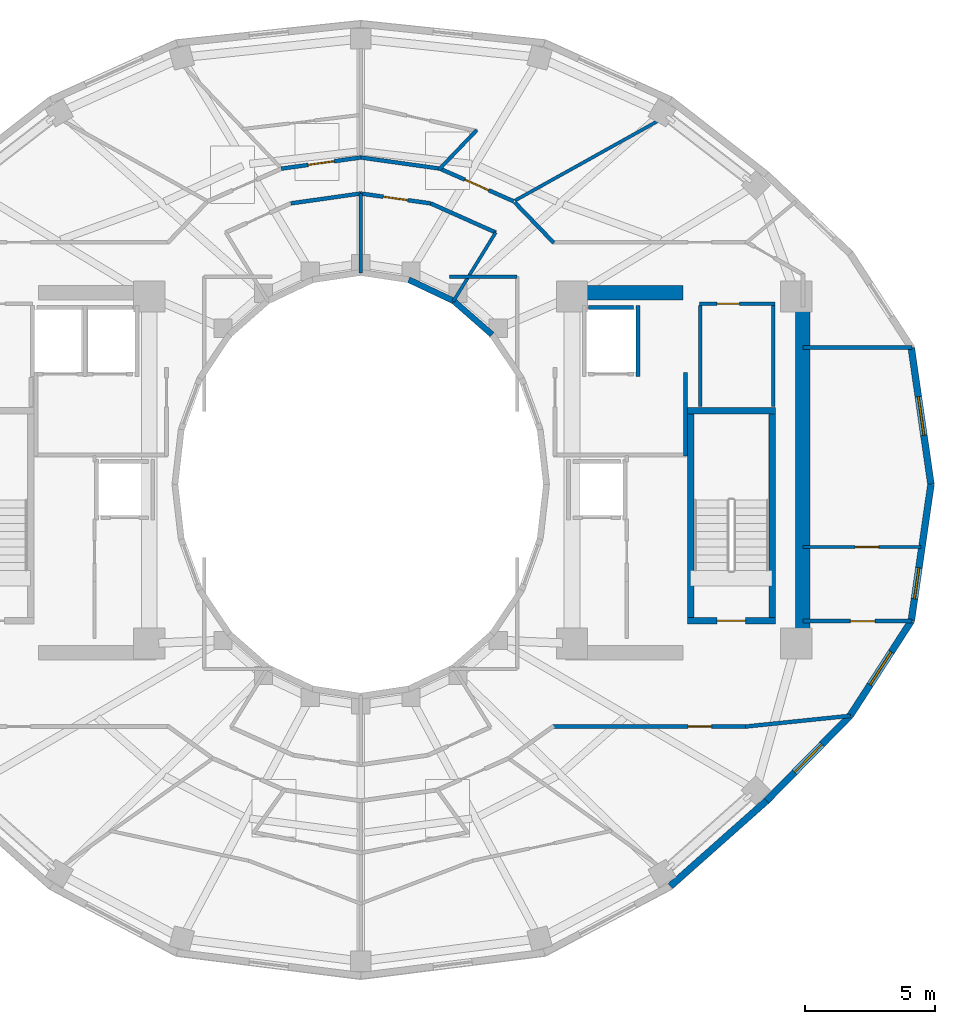
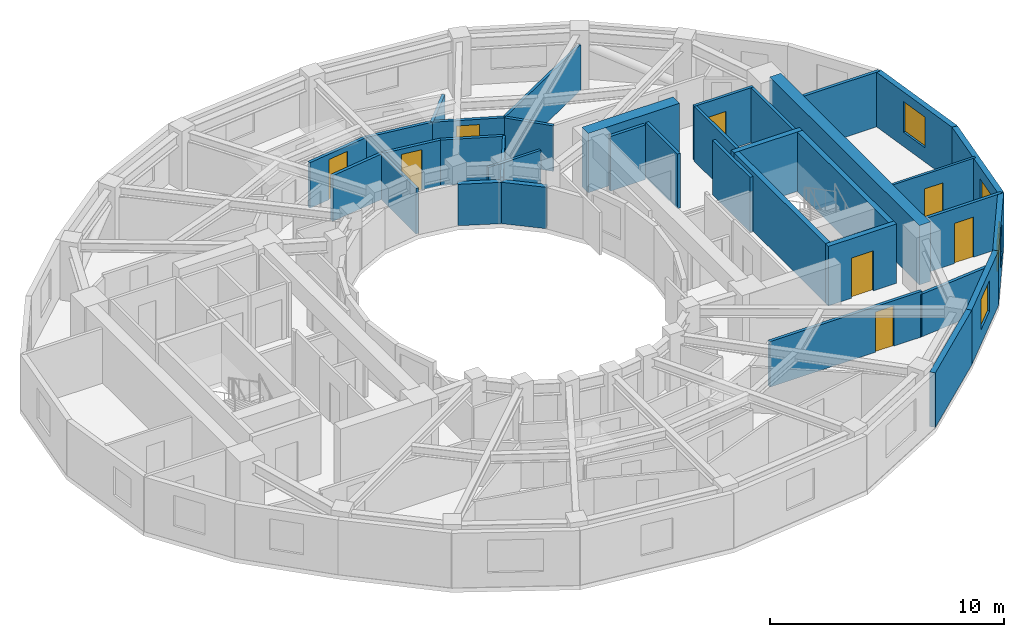
# One storey, part 6 of 9: 36 walls, 8 doors, 4 windows, 12 openings.
"""IFC4 building model written with IfcOpenShell, lengths in metres."""

from ifc_helpers import new_model, si_unit, direction, frame, frame_2d, origin, place, context, subcontext, project, spatial, rectangle, extrude, material, layer, layer_set, type_object, element, fill, save


model = new_model("IFC4")

# Units and contexts
model_context = context("Model", 3, precision=1e-05, world=origin(), true_north=direction((0.0, 1.0)))
body_context = subcontext(model_context, "Body", "Model", "MODEL_VIEW")
ifc_project = project(units=[si_unit("LENGTHUNIT", "METRE"), si_unit("AREAUNIT", "SQUARE_METRE"), si_unit("VOLUMEUNIT", "CUBIC_METRE"), si_unit("PLANEANGLEUNIT", "RADIAN"), si_unit("MASSUNIT", "GRAM", prefix="KILO")], contexts=[model_context])

# Site, building, storey
site_placement = place(None, origin())
site = spatial("IfcSite", under=ifc_project, at=site_placement, CompositionType="ELEMENT")
building_placement = place(site_placement, origin())
building = spatial("IfcBuilding", under=site, at=building_placement, Name="Solvane Sanctuary Tower", CompositionType="ELEMENT")
storey_placement = place(building_placement, frame((0.0, 0.0, 223.300048828125)))
storey = spatial("IfcBuildingStorey", under=building, at=storey_placement, Name="L68", CompositionType="ELEMENT", Elevation=223.300048828125)

# Walls
ifc_material_1 = material(Name="Concrete C50/60", Category="concrete")
ifc_layer_1 = layer(ifc_material_1, 0.550048828125, Name="Concrete C50/60")
ifc_layer_set_1 = layer_set([ifc_layer_1], Name="Concrete C50/60")
wall_type_1 = type_object("IfcWallType", Name="Wall W-CORE-550", PredefinedType="SHEAR", material=ifc_layer_set_1)
wall_1_placement = place(storey_placement, frame((48.949951171875, 17.050048828125, 0.0), z_axis=(0.0, 0.0, 1.0), x_axis=(0.0, 1.0, 0.0)))
element("IfcWall", 1, at=wall_1_placement, inside=storey, type_object=wall_type_1, Name="L68 Core Shear Wall EC-E", PredefinedType="SHEAR", context=body_context, shape_type="SweptSolid", body=[
    extrude(rectangle(XDim=12.800048828125, YDim=0.550048828125, at=frame_2d((6.39990234375, 0.0))), origin(), (0.0, 0.0, 1.0), 3.099853515625),
])
wall_2_placement = place(storey_placement, frame((39.85009765625, 30.35009765625, 0.0), z_axis=(0.0, 0.0, 1.0), x_axis=(1.0, 0.0, 0.0)))
element("IfcWall", 2, at=wall_2_placement, inside=storey, type_object=wall_type_1, Name="L68 Core Shear Wall EC-N", PredefinedType="SHEAR", context=body_context, shape_type="SweptSolid", body=[
    extrude(rectangle(XDim=4.5, YDim=0.550048828125, at=frame_2d((2.25, 0.0))), origin(), (0.0, 0.0, 1.0), 3.099853515625),
])
ifc_material_2 = material(Name="Acoustic Gypsum Partition Board")
ifc_layer_2 = layer(ifc_material_2, 0.14990234375, Name="Acoustic Gypsum Partition Board")
ifc_layer_set_2 = layer_set([ifc_layer_2], Name="Acoustic Gypsum Partition Board")
wall_type_2 = type_object("IfcWallType", Name="Wall W-CORR-150", PredefinedType="PARTITIONING", material=ifc_layer_set_2)
wall_3_placement = place(storey_placement, frame((44.449951171875, 24.080078125, 0.0), z_axis=(0.0, 0.0, 1.0), x_axis=(0.0, 1.0, 0.0)))
element("IfcWall", 3, at=wall_3_placement, inside=storey, type_object=wall_type_2, Name="L68 East Firefighting Lobby East Wall", PredefinedType="PARTITIONING", context=body_context, shape_type="SweptSolid", body=[
    extrude(rectangle(XDim=3.199951171875, YDim=0.14990234375, at=frame_2d((1.60009765625, 0.0))), origin(), (0.0, 0.0, 1.0), 2.85498046875),
])
wall_4_placement = place(storey_placement, frame((37.181396484375, 32.65234375, 0.0), z_axis=(0.0, 0.0, 1.0), x_axis=(-0.913120130558, 0.407690602257, 0.0)))
element("IfcWall", 4, at=wall_4_placement, inside=storey, type_object=wall_type_2, Name="L68 Light-Well Alcove Corridor Wall 1", PredefinedType="PARTITIONING", context=body_context, shape_type="SweptSolid", body=[
    extrude(rectangle(XDim=2.74267578125, YDim=0.14990234375, at=frame_2d((1.371337890625, 0.0))), origin(), (0.0, 0.0, 1.0), 2.3759765625),
])

# Wall, opening, door
wall_5_placement = place(storey_placement, frame((34.680419921875, 33.76953125, 0.0), z_axis=(0.0, 0.0, 1.0), x_axis=(-0.990132151456, 0.140136799779, 0.0)))
wall_5 = element("IfcWall", 5, at=wall_5_placement, inside=storey, type_object=wall_type_2, Name="L68 Light-Well Alcove Corridor Wall 1", PredefinedType="PARTITIONING", context=body_context, shape_type="SweptSolid", body=[
    extrude(rectangle(XDim=2.71435546875, YDim=0.14990234375, at=frame_2d((1.357177734375, 0.0))), origin(), (0.0, 0.0, 1.0), 2.3759765625),
])
opening_1_placement = place(wall_5_placement, frame((0.882080078125, 0.0, 0.0)))
opening_1 = element("IfcOpeningElement", 6, at=opening_1_placement, cuts=wall_5, Name="Opening D-L68-09", PredefinedType="OPENING", context=body_context, shape_type="SweptSolid", body=[
    extrude(rectangle(XDim=0.949951171875, YDim=2.10009765625, at=frame_2d((0.47509765625, 1.050048828125))), frame((0.0, 0.0849609375, 0.0), z_axis=(0.0, -1.0, 0.0), x_axis=(1.0, 0.0, 0.0)), (0.0, 0.0, 1.0), 0.169921875),
])
ifc_material_3 = material(Name="Engineered Tropical Hardwood", Category="wood")
door_type_1 = type_object("IfcDoorType", Name="Door D-ROOM-950", OperationType="NOTDEFINED", PredefinedType="DOOR", material=ifc_material_3)
door_1_placement = place(opening_1_placement, origin())
door_1 = element("IfcDoor", 7, at=door_1_placement, inside=storey, type_object=door_type_1, Name="L68 Light-Well Alcove Door 1", OperationType="SINGLE_SWING_RIGHT", OverallHeight=2.10009765625, OverallWidth=0.949951171875, PredefinedType="DOOR", context=body_context, shape_type="SweptSolid", body=[
    extrude(rectangle(XDim=0.949951171875, YDim=2.10009765625, at=frame_2d((0.47509765625, 1.050048828125))), frame((0.0, 0.02490234375, 0.0), z_axis=(0.0, -1.0, 0.0), x_axis=(1.0, 0.0, 0.0)), (0.0, 0.0, 1.0), 0.050048828125),
])
fill(opening_1, door_1)

# Wall
wall_6_placement = place(storey_placement, frame((32.007080078125, 34.14990234375, 0.0), z_axis=(0.0, 0.0, 1.0), x_axis=(-0.990132151456, -0.140136799779, 0.0)))
element("IfcWall", 8, at=wall_6_placement, inside=storey, type_object=wall_type_2, Name="L68 Light-Well Alcove Corridor Wall 2", PredefinedType="PARTITIONING", context=body_context, shape_type="SweptSolid", body=[
    extrude(rectangle(XDim=2.71435546875, YDim=0.14990234375, at=frame_2d((1.357177734375, 0.0))), origin(), (0.0, 0.0, 1.0), 2.3759765625),
])

# Wall, opening, door
wall_7_placement = place(storey_placement, frame((48.949951171875, 17.754638671875, 0.0), z_axis=(0.0, 0.0, 1.0), x_axis=(1.0, 0.0, 0.0)))
wall_7 = element("IfcWall", 9, at=wall_7_placement, inside=storey, type_object=wall_type_2, Name="L68 East Shoulder South Wall", PredefinedType="PARTITIONING", context=body_context, shape_type="SweptSolid", body=[
    extrude(rectangle(XDim=4.174560546875, YDim=0.14990234375, at=frame_2d((2.08740234375, 0.0))), origin(), (0.0, 0.0, 1.0), 2.85498046875),
])
opening_2_placement = place(wall_7_placement, frame((1.817138671875, 0.0, 0.0)))
opening_2 = element("IfcOpeningElement", 10, at=opening_2_placement, cuts=wall_7, Name="Opening D-L68-13", PredefinedType="OPENING", context=body_context, shape_type="SweptSolid", body=[
    extrude(rectangle(XDim=0.949951171875, YDim=2.10009765625, at=frame_2d((0.47509765625, 1.050048828125))), frame((0.0, 0.0849609375, 0.0), z_axis=(0.0, -1.0, 0.0), x_axis=(1.0, 0.0, 0.0)), (0.0, 0.0, 1.0), 0.169921875),
])
door_2_placement = place(opening_2_placement, origin())
door_2 = element("IfcDoor", 11, at=door_2_placement, inside=storey, type_object=door_type_1, Name="L68 East Shoulder South Door", OperationType="SINGLE_SWING_RIGHT", OverallHeight=2.10009765625, OverallWidth=0.949951171875, PredefinedType="DOOR", context=body_context, shape_type="SweptSolid", body=[
    extrude(rectangle(XDim=0.949951171875, YDim=2.10009765625, at=frame_2d((0.47509765625, 1.050048828125))), frame((0.0, 0.02490234375, 0.0), z_axis=(0.0, -1.0, 0.0), x_axis=(1.0, 0.0, 0.0)), (0.0, 0.0, 1.0), 0.050048828125),
])
fill(opening_2, door_2)

# Walls
wall_8_placement = place(storey_placement, frame((48.949951171875, 28.245361328125, 0.0), z_axis=(0.0, 0.0, 1.0), x_axis=(1.0, 0.0, 0.0)))
element("IfcWall", 12, at=wall_8_placement, inside=storey, type_object=wall_type_2, Name="L68 East Shoulder North Wall", PredefinedType="PARTITIONING", context=body_context, shape_type="SweptSolid", body=[
    extrude(rectangle(XDim=4.174560546875, YDim=0.14990234375, at=frame_2d((2.08740234375, 0.0))), origin(), (0.0, 0.0, 1.0), 2.85498046875),
])
wall_9_placement = place(storey_placement, frame((37.9033203125, 33.811767578125, 0.0), z_axis=(0.0, 0.0, 1.0), x_axis=(0.694032962553, -0.719943224768, 0.0)))
element("IfcWall", 13, at=wall_9_placement, inside=storey, type_object=wall_type_2, Name="L68 NE Corner Throat Wall", PredefinedType="PARTITIONING", context=body_context, shape_type="SweptSolid", body=[
    extrude(rectangle(XDim=2.15771484375, YDim=0.14990234375, at=frame_2d((1.078857421875, 0.0))), origin(), (0.0, 0.0, 1.0), 2.3759765625),
])

# Wall, opening, door
wall_10_placement = place(storey_placement, frame((39.330078125, 13.719970703125, 0.0), z_axis=(0.0, 0.0, 1.0), x_axis=(1.0, 0.0, 0.0)))
wall_10 = element("IfcWall", 14, at=wall_10_placement, inside=storey, type_object=wall_type_2, Name="L68 SE Corner Corridor Wall", PredefinedType="PARTITIONING", context=body_context, shape_type="SweptSolid", body=[
    extrude(rectangle(XDim=7.52001953125, YDim=0.14990234375, at=frame_2d((3.760009765625, 0.0))), origin(), (0.0, 0.0, 1.0), 2.3759765625),
])
opening_3_placement = place(wall_10_placement, frame((5.219970703125, 0.0, 0.0)))
opening_3 = element("IfcOpeningElement", 15, at=opening_3_placement, cuts=wall_10, Name="Opening D-L68-21", PredefinedType="OPENING", context=body_context, shape_type="SweptSolid", body=[
    extrude(rectangle(XDim=0.89990234375, YDim=2.10009765625, at=frame_2d((0.449951171875, 1.050048828125))), frame((0.0, 0.0849609375, 0.0), z_axis=(0.0, -1.0, 0.0), x_axis=(1.0, 0.0, 0.0)), (0.0, 0.0, 1.0), 0.169921875),
])
door_type_2 = type_object("IfcDoorType", Name="Door D-WET-900", OperationType="NOTDEFINED", PredefinedType="DOOR", material=ifc_material_3)
door_3_placement = place(opening_3_placement, origin())
door_3 = element("IfcDoor", 16, at=door_3_placement, inside=storey, type_object=door_type_2, Name="L68 SE Corner Salon Door", OperationType="SINGLE_SWING_RIGHT", OverallHeight=2.10009765625, OverallWidth=0.89990234375, PredefinedType="DOOR", context=body_context, shape_type="SweptSolid", body=[
    extrude(rectangle(XDim=0.89990234375, YDim=2.10009765625, at=frame_2d((0.449951171875, 1.050048828125))), frame((0.0, 0.02490234375, 0.0), z_axis=(0.0, -1.0, 0.0), x_axis=(1.0, 0.0, 0.0)), (0.0, 0.0, 1.0), 0.050048828125),
])
fill(opening_3, door_3)

# Walls
wall_11_placement = place(storey_placement, frame((46.750244140625, 13.71484375, 0.0), z_axis=(0.0, 0.0, 1.0), x_axis=(0.994734711466, 0.102483431859, 0.0)))
element("IfcWall", 17, at=wall_11_placement, inside=storey, type_object=wall_type_2, Name="L68 SE Corner Wing Wall", PredefinedType="PARTITIONING", context=body_context, shape_type="SweptSolid", body=[
    extrude(rectangle(XDim=4.04736328125, YDim=0.14990234375, at=frame_2d((2.023681640625, 0.0))), origin(), (0.0, 0.0, 1.0), 2.219970703125),
])
wall_12_placement = place(storey_placement, frame((35.08544921875, 35.09619140625, 0.0), z_axis=(0.0, 0.0, 1.0), x_axis=(-0.990254086283, 0.139272555084, 0.0)))
element("IfcWall", 18, at=wall_12_placement, inside=storey, type_object=wall_type_2, Name="L68 En-suite Inner Wall N1", PredefinedType="PARTITIONING", context=body_context, shape_type="SweptSolid", body=[
    extrude(rectangle(XDim=3.165771484375, YDim=0.14990234375, at=frame_2d((1.5830078125, 0.0))), origin(), (0.0, 0.0, 1.0), 2.3759765625),
])

# Wall, opening, door
wall_13_placement = place(storey_placement, frame((37.8720703125, 33.846923828125, 0.0), z_axis=(0.0, 0.0, 1.0), x_axis=(-0.914490094652, 0.40460828808, 0.0)))
wall_13 = element("IfcWall", 19, at=wall_13_placement, inside=storey, type_object=wall_type_2, Name="L68 Unit Corridor Wall N1", PredefinedType="PARTITIONING", context=body_context, shape_type="SweptSolid", body=[
    extrude(rectangle(XDim=3.10986328125, YDim=0.14990234375, at=frame_2d((1.554931640625, 0.0))), origin(), (0.0, 0.0, 1.0), 2.3759765625),
])
opening_4_placement = place(wall_13_placement, frame((1.054931640625, 0.0, 0.0)))
opening_4 = element("IfcOpeningElement", 20, at=opening_4_placement, cuts=wall_13, Name="Opening D-L68-23", PredefinedType="OPENING", context=body_context, shape_type="SweptSolid", body=[
    extrude(rectangle(XDim=1.0, YDim=2.10009765625, at=frame_2d((0.5, 1.050048828125))), frame((0.0, 0.0849609375, 0.0), z_axis=(0.0, -1.0, 0.0), x_axis=(1.0, 0.0, 0.0)), (0.0, 0.0, 1.0), 0.169921875),
])
door_type_3 = type_object("IfcDoorType", Name="Door D-UNIT", OperationType="NOTDEFINED", PredefinedType="DOOR", material=ifc_material_3)
door_4_placement = place(opening_4_placement, origin())
door_4 = element("IfcDoor", 21, at=door_4_placement, inside=storey, type_object=door_type_3, Name="L68 Unit Entrance Door N1", OperationType="SINGLE_SWING_RIGHT", OverallHeight=2.10009765625, OverallWidth=1.0, PredefinedType="DOOR", context=body_context, shape_type="SweptSolid", body=[
    extrude(rectangle(XDim=1.0, YDim=2.10009765625, at=frame_2d((0.5, 1.050048828125))), frame((0.0, 0.02490234375, 0.0), z_axis=(0.0, -1.0, 0.0), x_axis=(1.0, 0.0, 0.0)), (0.0, 0.0, 1.0), 0.050048828125),
])
fill(opening_4, door_4)

wall_14_placement = place(storey_placement, frame((32.00830078125, 35.530029296875, 0.0), z_axis=(0.0, 0.0, 1.0), x_axis=(-0.990257602807, -0.139247549651, 0.0)))
wall_14 = element("IfcWall", 22, at=wall_14_placement, inside=storey, type_object=wall_type_2, Name="L68 Unit Corridor Wall N2", PredefinedType="PARTITIONING", context=body_context, shape_type="SweptSolid", body=[
    extrude(rectangle(XDim=3.082275390625, YDim=0.14990234375, at=frame_2d((1.541015625, 0.0))), origin(), (0.0, 0.0, 1.0), 2.3759765625),
])
opening_5_placement = place(wall_14_placement, frame((1.041015625, 0.0, 0.0)))
opening_5 = element("IfcOpeningElement", 23, at=opening_5_placement, cuts=wall_14, Name="Opening D-L68-25", PredefinedType="OPENING", context=body_context, shape_type="SweptSolid", body=[
    extrude(rectangle(XDim=1.0, YDim=2.10009765625, at=frame_2d((0.5, 1.050048828125))), frame((0.0, 0.0849609375, 0.0), z_axis=(0.0, -1.0, 0.0), x_axis=(1.0, 0.0, 0.0)), (0.0, 0.0, 1.0), 0.169921875),
])
door_5_placement = place(opening_5_placement, origin())
door_5 = element("IfcDoor", 24, at=door_5_placement, inside=storey, type_object=door_type_3, Name="L68 Unit Entrance Door N2", OperationType="SINGLE_SWING_RIGHT", OverallHeight=2.10009765625, OverallWidth=1.0, PredefinedType="DOOR", context=body_context, shape_type="SweptSolid", body=[
    extrude(rectangle(XDim=1.0, YDim=2.10009765625, at=frame_2d((0.5, 1.050048828125))), frame((0.0, 0.02490234375, 0.0), z_axis=(0.0, -1.0, 0.0), x_axis=(1.0, 0.0, 0.0)), (0.0, 0.0, 1.0), 0.050048828125),
])
fill(opening_5, door_5)

# Wall, opening, window
ifc_material_4 = material(Name="Precast concrete C40/50", Category="concrete")
ifc_layer_3 = layer(ifc_material_4, 0.260009765625, Name="Precast concrete C40/50")
ifc_layer_set_3 = layer_set([ifc_layer_3], Name="Precast concrete C40/50")
wall_type_3 = type_object("IfcWallType", Name="Wall W-EXT-250", PredefinedType="STANDARD", material=ifc_layer_set_3)
wall_15_placement = place(storey_placement, frame((53.860107421875, 23.0, 0.0), z_axis=(0.0, 0.0, 1.0), x_axis=(-0.142712754019, 0.989764148593, 0.0)))
wall_15 = element("IfcWall", 25, at=wall_15_placement, inside=storey, type_object=wall_type_3, Name="L68 Ceramic-Printed Facade Wall 00", PredefinedType="STANDARD", context=body_context, shape_type="SweptSolid", body=[
    extrude(rectangle(XDim=5.29296875, YDim=0.260009765625, at=frame_2d((2.646484375, 0.0))), origin(), (0.0, 0.0, 1.0), 2.849853515625),
])
opening_6_placement = place(wall_15_placement, frame((1.896484375, 0.0, 0.75)))
opening_6 = element("IfcOpeningElement", 26, at=opening_6_placement, cuts=wall_15, Name="Opening WN-OPER-1500", PredefinedType="OPENING", context=body_context, shape_type="SweptSolid", body=[
    extrude(rectangle(XDim=1.5, YDim=1.60009765625, at=frame_2d((0.75, 0.800048828125))), frame((0.0, 0.139892578125, 0.0), z_axis=(0.0, -1.0, 0.0), x_axis=(1.0, 0.0, 0.0)), (0.0, 0.0, 1.0), 0.280029296875),
])
ifc_material_5 = material(Name="Dark Ceramic-Fritted Low-E Glass", Category="glass")
window_type_1 = type_object("IfcWindowType", Name="Window WN-OPER-1500", PartitioningType="SINGLE_PANEL", PredefinedType="WINDOW", material=ifc_material_5)
window_1_placement = place(opening_6_placement, origin())
window_1 = element("IfcWindow", 27, at=window_1_placement, inside=storey, type_object=window_type_1, Name="L68 Operable Facade Window 00", OverallHeight=1.60009765625, OverallWidth=1.5, PartitioningType="SINGLE_PANEL", PredefinedType="WINDOW", context=body_context, shape_type="SweptSolid", body=[
    extrude(rectangle(XDim=1.5, YDim=1.60009765625, at=frame_2d((0.75, 0.800048828125))), frame((0.0, 0.030029296875, 0.0), z_axis=(0.0, -1.0, 0.0), x_axis=(1.0, 0.0, 0.0)), (0.0, 0.0, 1.0), 0.06005859375),
])
fill(opening_6, window_1)

# Wall
wall_16_placement = place(storey_placement, frame((43.8701171875, 7.600830078125, 0.0), z_axis=(0.0, 0.0, 1.0), x_axis=(0.748165854006, 0.663511759428, 0.0)))
element("IfcWall", 28, at=wall_16_placement, inside=storey, type_object=wall_type_3, Name="L68 Ceramic-Printed Facade Wall 20", PredefinedType="STANDARD", context=body_context, shape_type="SweptSolid", body=[
    extrude(rectangle(XDim=4.9287109375, YDim=0.260009765625, at=frame_2d((2.46435546875, 0.0))), origin(), (0.0, 0.0, 1.0), 2.849853515625),
])

# Wall, opening, window
wall_17_placement = place(storey_placement, frame((47.5576171875, 10.87109375, 0.0), z_axis=(0.0, 0.0, 1.0), x_axis=(0.700642973333, 0.713512034881, 0.0)))
wall_17 = element("IfcWall", 29, at=wall_17_placement, inside=storey, type_object=wall_type_3, Name="L68 Ceramic-Printed Facade Wall 21", PredefinedType="STANDARD", context=body_context, shape_type="SweptSolid", body=[
    extrude(rectangle(XDim=4.572021484375, YDim=0.260009765625, at=frame_2d((2.2861328125, 0.0))), origin(), (0.0, 0.0, 1.0), 2.849853515625),
])
opening_7_placement = place(wall_17_placement, frame((1.535888671875, 0.0, 0.75)))
opening_7 = element("IfcOpeningElement", 30, at=opening_7_placement, cuts=wall_17, Name="Opening WN-OPER-1500", PredefinedType="OPENING", context=body_context, shape_type="SweptSolid", body=[
    extrude(rectangle(XDim=1.5, YDim=1.60009765625, at=frame_2d((0.75, 0.800048828125))), frame((0.0, 0.139892578125, 0.0), z_axis=(0.0, -1.0, 0.0), x_axis=(1.0, 0.0, 0.0)), (0.0, 0.0, 1.0), 0.280029296875),
])
window_2_placement = place(opening_7_placement, origin())
window_2 = element("IfcWindow", 31, at=window_2_placement, inside=storey, type_object=window_type_1, Name="L68 Operable Facade Window 21", OverallHeight=1.60009765625, OverallWidth=1.5, PartitioningType="SINGLE_PANEL", PredefinedType="WINDOW", context=body_context, shape_type="SweptSolid", body=[
    extrude(rectangle(XDim=1.5, YDim=1.60009765625, at=frame_2d((0.75, 0.800048828125))), frame((0.0, 0.030029296875, 0.0), z_axis=(0.0, -1.0, 0.0), x_axis=(1.0, 0.0, 0.0)), (0.0, 0.0, 1.0), 0.06005859375),
])
fill(opening_7, window_2)

wall_18_placement = place(storey_placement, frame((50.760986328125, 14.13330078125, 0.0), z_axis=(0.0, 0.0, 1.0), x_axis=(0.542641766008, 0.839964233634, 0.0)))
wall_18 = element("IfcWall", 32, at=wall_18_placement, inside=storey, type_object=wall_type_3, Name="L68 Ceramic-Printed Facade Wall 22", PredefinedType="STANDARD", context=body_context, shape_type="SweptSolid", body=[
    extrude(rectangle(XDim=4.319091796875, YDim=0.260009765625, at=frame_2d((2.15966796875, 0.0))), origin(), (0.0, 0.0, 1.0), 2.849853515625),
])
opening_8_placement = place(wall_18_placement, frame((1.40966796875, 0.0, 0.75)))
opening_8 = element("IfcOpeningElement", 33, at=opening_8_placement, cuts=wall_18, Name="Opening WN-OPER-1500", PredefinedType="OPENING", context=body_context, shape_type="SweptSolid", body=[
    extrude(rectangle(XDim=1.5, YDim=1.60009765625, at=frame_2d((0.75, 0.800048828125))), frame((0.0, 0.139892578125, 0.0), z_axis=(0.0, -1.0, 0.0), x_axis=(1.0, 0.0, 0.0)), (0.0, 0.0, 1.0), 0.280029296875),
])
window_3_placement = place(opening_8_placement, origin())
window_3 = element("IfcWindow", 34, at=window_3_placement, inside=storey, type_object=window_type_1, Name="L68 Operable Facade Window 22", OverallHeight=1.60009765625, OverallWidth=1.5, PartitioningType="SINGLE_PANEL", PredefinedType="WINDOW", context=body_context, shape_type="SweptSolid", body=[
    extrude(rectangle(XDim=1.5, YDim=1.60009765625, at=frame_2d((0.75, 0.800048828125))), frame((0.0, 0.030029296875, 0.0), z_axis=(0.0, -1.0, 0.0), x_axis=(1.0, 0.0, 0.0)), (0.0, 0.0, 1.0), 0.06005859375),
])
fill(opening_8, window_3)

wall_19_placement = place(storey_placement, frame((53.104736328125, 17.76123046875, 0.0), z_axis=(0.0, 0.0, 1.0), x_axis=(0.142712754019, 0.989764148593, 0.0)))
wall_19 = element("IfcWall", 35, at=wall_19_placement, inside=storey, type_object=wall_type_3, Name="L68 Ceramic-Printed Facade Wall 23", PredefinedType="STANDARD", context=body_context, shape_type="SweptSolid", body=[
    extrude(rectangle(XDim=5.29296875, YDim=0.260009765625, at=frame_2d((2.646484375, 0.0))), origin(), (0.0, 0.0, 1.0), 2.849853515625),
])
opening_9_placement = place(wall_19_placement, frame((0.859130859375, 0.0, 0.75)))
opening_9 = element("IfcOpeningElement", 36, at=opening_9_placement, cuts=wall_19, Name="Opening WN-OPER-1200", PredefinedType="OPENING", context=body_context, shape_type="SweptSolid", body=[
    extrude(rectangle(XDim=1.199951171875, YDim=1.5, at=frame_2d((0.60009765625, 0.75))), frame((0.0, 0.139892578125, 0.0), z_axis=(0.0, -1.0, 0.0), x_axis=(1.0, 0.0, 0.0)), (0.0, 0.0, 1.0), 0.280029296875),
])
window_type_2 = type_object("IfcWindowType", Name="Window WN-OPER-1200", PartitioningType="SINGLE_PANEL", PredefinedType="WINDOW", material=ifc_material_5)
window_4_placement = place(opening_9_placement, origin())
window_4 = element("IfcWindow", 37, at=window_4_placement, inside=storey, type_object=window_type_2, Name="L68 Operable Facade Window 23", OverallHeight=1.5, OverallWidth=1.199951171875, PartitioningType="SINGLE_PANEL", PredefinedType="WINDOW", context=body_context, shape_type="SweptSolid", body=[
    extrude(rectangle(XDim=1.199951171875, YDim=1.5, at=frame_2d((0.60009765625, 0.75))), frame((0.0, 0.030029296875, 0.0), z_axis=(0.0, -1.0, 0.0), x_axis=(1.0, 0.0, 0.0)), (0.0, 0.0, 1.0), 0.06005859375),
])
fill(opening_9, window_4)

# Walls
ifc_layer_4 = layer(ifc_material_4, 0.22998046875, Name="Precast concrete C40/50")
ifc_layer_set_4 = layer_set([ifc_layer_4], Name="Precast concrete C40/50")
wall_type_4 = type_object("IfcWallType", Name="Wall W-EXT-SP220", PredefinedType="STANDARD", material=ifc_layer_set_4)
wall_20_placement = place(storey_placement, frame((37.03466796875, 28.74169921875, 0.0), z_axis=(0.0, 0.0, 1.0), x_axis=(-0.752576694707, 0.658504607869, 0.0)))
element("IfcWall", 38, at=wall_20_placement, inside=storey, type_object=wall_type_4, Name="L68 Central Light-Well Wall 03", PredefinedType="STANDARD", context=body_context, shape_type="SweptSolid", body=[
    extrude(rectangle(XDim=1.95947265625, YDim=0.22998046875, at=frame_2d((0.979736328125, 0.0))), origin(), (0.0, 0.0, 1.0), 2.159912109375),
])
wall_21_placement = place(storey_placement, frame((35.56005859375, 30.031982421875, 0.0), z_axis=(0.0, 0.0, 1.0), x_axis=(-0.904179699603, 0.427152280606, 0.0)))
element("IfcWall", 39, at=wall_21_placement, inside=storey, type_object=wall_type_4, Name="L68 Central Light-Well Wall 04", PredefinedType="STANDARD", context=body_context, shape_type="SweptSolid", body=[
    extrude(rectangle(XDim=1.899169921875, YDim=0.22998046875, at=frame_2d((0.94970703125, 0.0))), origin(), (0.0, 0.0, 1.0), 2.159912109375),
])

# Wall, opening, door
ifc_layer_5 = layer(ifc_material_2, 0.1201171875, Name="Acoustic Gypsum Partition Board")
ifc_layer_set_5 = layer_set([ifc_layer_5], Name="Acoustic Gypsum Partition Board")
wall_type_5 = type_object("IfcWallType", Name="Wall W-MOV-100", PredefinedType="MOVABLE", material=ifc_layer_set_5)
wall_22_placement = place(storey_placement, frame((48.949951171875, 20.60009765625, 0.0), z_axis=(0.0, 0.0, 1.0), x_axis=(1.0, 0.0, 0.0)))
wall_22 = element("IfcWall", 40, at=wall_22_placement, inside=storey, type_object=wall_type_5, Name="L68 East Suite Partition", PredefinedType="MOVABLE", context=body_context, shape_type="SweptSolid", body=[
    extrude(rectangle(XDim=4.5244140625, YDim=0.1201171875, at=frame_2d((2.26220703125, 0.0))), origin(), (0.0, 0.0, 1.0), 2.85498046875),
])
opening_10_placement = place(wall_22_placement, frame((2.0, 0.0, 0.0)))
opening_10 = element("IfcOpeningElement", 41, at=opening_10_placement, cuts=wall_22, Name="Opening D-L68-14", PredefinedType="OPENING", context=body_context, shape_type="SweptSolid", body=[
    extrude(rectangle(XDim=0.89990234375, YDim=2.10009765625, at=frame_2d((0.449951171875, 1.050048828125))), frame((0.0, 0.070068359375, 0.0), z_axis=(0.0, -1.0, 0.0), x_axis=(1.0, 0.0, 0.0)), (0.0, 0.0, 1.0), 0.14013671875),
])
door_6_placement = place(opening_10_placement, origin())
door_6 = element("IfcDoor", 42, at=door_6_placement, inside=storey, type_object=door_type_2, Name="L68 East Suite Internal Door", OperationType="SINGLE_SWING_LEFT", OverallHeight=2.10009765625, OverallWidth=0.89990234375, PredefinedType="DOOR", context=body_context, shape_type="SweptSolid", body=[
    extrude(rectangle(XDim=0.89990234375, YDim=2.10009765625, at=frame_2d((0.449951171875, 1.050048828125))), frame((0.0, 0.02490234375, 0.0), z_axis=(0.0, -1.0, 0.0), x_axis=(1.0, 0.0, 0.0)), (0.0, 0.0, 1.0), 0.050048828125),
])
fill(opening_10, door_6)

# Walls
ifc_layer_6 = layer(ifc_material_2, 0.125, Name="Acoustic Gypsum Partition Board")
ifc_layer_set_6 = layer_set([ifc_layer_6], Name="Acoustic Gypsum Partition Board")
wall_type_6 = type_object("IfcWallType", Name="Wall W-PART-125", PredefinedType="PARTITIONING", material=ifc_layer_set_6)
wall_23_placement = place(storey_placement, frame((35.550048828125, 30.014892578125, 0.0), z_axis=(0.0, 0.0, 1.0), x_axis=(0.523992004803, 0.851723182086, 0.0)))
element("IfcWall", 43, at=wall_23_placement, inside=storey, type_object=wall_type_6, Name="L68 Light-Well Alcove Radial Wall 60", PredefinedType="PARTITIONING", context=body_context, shape_type="SweptSolid", body=[
    extrude(rectangle(XDim=3.10107421875, YDim=0.125, at=frame_2d((1.550537109375, 0.0))), origin(), (0.0, 0.0, 1.0), 2.3759765625),
])
wall_24_placement = place(storey_placement, frame((32.0, 31.10009765625, 0.0), z_axis=(0.0, 0.0, 1.0), x_axis=(0.0, 1.0, 0.0)))
element("IfcWall", 44, at=wall_24_placement, inside=storey, type_object=wall_type_6, Name="L68 Light-Well Alcove Radial Wall 90", PredefinedType="PARTITIONING", context=body_context, shape_type="SweptSolid", body=[
    extrude(rectangle(XDim=3.0498046875, YDim=0.125, at=frame_2d((1.52490234375, 0.0))), origin(), (0.0, 0.0, 1.0), 2.3759765625),
])
wall_25_placement = place(storey_placement, frame((35.39990234375, 30.9599609375, 0.0), z_axis=(0.0, 0.0, 1.0), x_axis=(1.0, 0.0, 0.0)))
element("IfcWall", 45, at=wall_25_placement, inside=storey, type_object=wall_type_6, Name="L68 Bridge Alcove Wall 4", PredefinedType="PARTITIONING", context=body_context, shape_type="SweptSolid", body=[
    extrude(rectangle(XDim=2.60009765625, YDim=0.125, at=frame_2d((1.300048828125, 0.0))), origin(), (0.0, 0.0, 1.0), 2.3759765625),
])
wall_26_placement = place(storey_placement, frame((37.9130859375, 33.8779296875, 0.0), z_axis=(0.0, 0.0, 1.0), x_axis=(0.87377679808, 0.486327160599, 0.0)))
element("IfcWall", 46, at=wall_26_placement, inside=storey, type_object=wall_type_6, Name="L68 Radial Compartment Wall 060", PredefinedType="PARTITIONING", context=body_context, shape_type="SweptSolid", body=[
    extrude(rectangle(XDim=6.239501953125, YDim=0.125, at=frame_2d((3.11962890625, 0.0))), origin(), (0.0, 0.0, 1.0), 2.3759765625),
])
ifc_layer_7 = layer(ifc_material_1, 0.14990234375, Name="Concrete C50/60")
ifc_layer_set_7 = layer_set([ifc_layer_7], Name="Concrete C50/60")
wall_type_7 = type_object("IfcWallType", Name="Wall W-SHAFT-150", PredefinedType="SOLIDWALL", material=ifc_layer_set_7)
wall_27_placement = place(storey_placement, frame((40.739990234375, 29.780029296875, 0.0), z_axis=(0.0, 0.0, 1.0), x_axis=(1.0, 0.0, 0.0)))
element("IfcWall", 47, at=wall_27_placement, inside=storey, type_object=wall_type_7, Name="L68 FFL-2 Lift Shaft Wall B", PredefinedType="SOLIDWALL", context=body_context, shape_type="SweptSolid", body=[
    extrude(rectangle(XDim=1.719970703125, YDim=0.14990234375, at=frame_2d((0.85986328125, 0.0))), origin(), (0.0, 0.0, 1.0), 2.85498046875),
])
wall_28_placement = place(storey_placement, frame((42.6298828125, 27.139892578125, 0.0), z_axis=(0.0, 0.0, 1.0), x_axis=(0.0, 1.0, 0.0)))
element("IfcWall", 48, at=wall_28_placement, inside=storey, type_object=wall_type_7, Name="L68 FFL-2 Lift Shaft Wall S2", PredefinedType="SOLIDWALL", context=body_context, shape_type="SweptSolid", body=[
    extrude(rectangle(XDim=2.72021484375, YDim=0.14990234375, at=frame_2d((1.360107421875, 0.0))), origin(), (0.0, 0.0, 1.0), 2.85498046875),
])

# Wall, opening, door
ifc_layer_8 = layer(ifc_material_1, 0.25, Name="Concrete C50/60")
ifc_layer_set_8 = layer_set([ifc_layer_8], Name="Concrete C50/60")
wall_type_8 = type_object("IfcWallType", Name="Wall W-SHAFT-250", PredefinedType="SOLIDWALL", material=ifc_layer_set_8)
wall_29_placement = place(storey_placement, frame((44.52490234375, 17.77001953125, 0.0), z_axis=(0.0, 0.0, 1.0), x_axis=(1.0, 0.0, 0.0)))
wall_29 = element("IfcWall", 49, at=wall_29_placement, inside=storey, type_object=wall_type_8, Name="L68 ST-2 Load-Bearing Shaft Wall S", PredefinedType="SOLIDWALL", context=body_context, shape_type="SweptSolid", body=[
    extrude(rectangle(XDim=3.3701171875, YDim=0.25, at=frame_2d((1.68505859375, 0.0))), origin(), (0.0, 0.0, 1.0), 3.099853515625),
])
opening_11_placement = place(wall_29_placement, frame((1.135009765625, 0.0, 0.0)))
opening_11 = element("IfcOpeningElement", 50, at=opening_11_placement, cuts=wall_29, Name="Opening D-L68-02", PredefinedType="OPENING", context=body_context, shape_type="SweptSolid", body=[
    extrude(rectangle(XDim=1.10009765625, YDim=2.10009765625, at=frame_2d((0.550048828125, 1.050048828125))), frame((0.0, 0.135009765625, 0.0), z_axis=(0.0, -1.0, 0.0), x_axis=(1.0, 0.0, 0.0)), (0.0, 0.0, 1.0), 0.27001953125),
])
ifc_material_6 = material(Name="Architectural Stainless Steel 316", Category="steel")
door_type_4 = type_object("IfcDoorType", Name="Door D-STAIR", OperationType="NOTDEFINED", PredefinedType="DOOR", material=ifc_material_6)
door_7_placement = place(opening_11_placement, origin())
door_7 = element("IfcDoor", 51, at=door_7_placement, inside=storey, type_object=door_type_4, Name="L68 ST-2 Exit Stair Fire Door", OperationType="SINGLE_SWING_RIGHT", OverallHeight=2.10009765625, OverallWidth=1.10009765625, PredefinedType="DOOR", context=body_context, shape_type="SweptSolid", body=[
    extrude(rectangle(XDim=1.10009765625, YDim=2.10009765625, at=frame_2d((0.550048828125, 1.050048828125))), frame((0.0, 0.02490234375, 0.0), z_axis=(0.0, -1.0, 0.0), x_axis=(1.0, 0.0, 0.0)), (0.0, 0.0, 1.0), 0.050048828125),
])
fill(opening_11, door_7)

# Walls
wall_30_placement = place(storey_placement, frame((44.52490234375, 25.830078125, 0.0), z_axis=(0.0, 0.0, 1.0), x_axis=(1.0, 0.0, 0.0)))
element("IfcWall", 52, at=wall_30_placement, inside=storey, type_object=wall_type_8, Name="L68 ST-2 Load-Bearing Shaft Wall N", PredefinedType="SOLIDWALL", context=body_context, shape_type="SweptSolid", body=[
    extrude(rectangle(XDim=3.3701171875, YDim=0.25, at=frame_2d((1.68505859375, 0.0))), origin(), (0.0, 0.0, 1.0), 3.099853515625),
])
for number, where, z_axis, x_axis, name in (
    (53, (44.64990234375, 17.89501953125, 0.0), (0.0, 0.0, 1.0), (0.0, 1.0, 0.0), "L68 ST-2 Load-Bearing Shaft Wall W"),
    (54, (47.77001953125, 17.89501953125, 0.0), (0.0, 0.0, 1.0), (0.0, 1.0, 0.0), "L68 ST-2 Load-Bearing Shaft Wall E"),
):
    element("IfcWall", number, at=place(storey_placement, frame(where, z_axis=z_axis, x_axis=x_axis)), inside=storey, type_object=wall_type_8, Name=name, PredefinedType="SOLIDWALL", context=body_context, shape_type="SweptSolid", body=[
        extrude(rectangle(XDim=7.81005859375, YDim=0.25, at=frame_2d((3.905029296875, 0.0))), origin(), (0.0, 0.0, 1.0), 3.099853515625),
    ])

# Wall, opening, door
ifc_layer_9 = layer(ifc_material_2, 0.139892578125, Name="Acoustic Gypsum Partition Board")
ifc_layer_set_9 = layer_set([ifc_layer_9], Name="Acoustic Gypsum Partition Board")
wall_type_9 = type_object("IfcWallType", Name="Wall W-WET-140", PredefinedType="PLUMBINGWALL", material=ifc_layer_set_9)
wall_31_placement = place(storey_placement, frame((44.97998046875, 29.919921875, 0.0), z_axis=(0.0, 0.0, 1.0), x_axis=(1.0, 0.0, 0.0)))
wall_31 = element("IfcWall", 55, at=wall_31_placement, inside=storey, type_object=wall_type_9, Name="L68 Core Service Front Wall KE0", PredefinedType="PLUMBINGWALL", context=body_context, shape_type="SweptSolid", body=[
    extrude(rectangle(XDim=2.89990234375, YDim=0.139892578125, at=frame_2d((1.449951171875, 0.0))), origin(), (0.0, 0.0, 1.0), 2.85498046875),
])
opening_12_placement = place(wall_31_placement, frame((0.685546875, 0.0, 0.0)))
opening_12 = element("IfcOpeningElement", 56, at=opening_12_placement, cuts=wall_31, Name="Opening D-L68-08", PredefinedType="OPENING", context=body_context, shape_type="SweptSolid", body=[
    extrude(rectangle(XDim=0.85009765625, YDim=2.050048828125, at=frame_2d((0.425048828125, 1.02490234375))), frame((0.0, 0.079833984375, 0.0), z_axis=(0.0, -1.0, 0.0), x_axis=(1.0, 0.0, 0.0)), (0.0, 0.0, 1.0), 0.159912109375),
])
door_type_5 = type_object("IfcDoorType", Name="Door D-RISER", OperationType="NOTDEFINED", PredefinedType="DOOR", material=ifc_material_6)
door_8_placement = place(opening_12_placement, origin())
door_8 = element("IfcDoor", 57, at=door_8_placement, inside=storey, type_object=door_type_5, Name="L68 Core Service Room Door KE0-1", OperationType="SINGLE_SWING_LEFT", OverallHeight=2.050048828125, OverallWidth=0.85009765625, PredefinedType="DOOR", context=body_context, shape_type="SweptSolid", body=[
    extrude(rectangle(XDim=0.85009765625, YDim=2.050048828125, at=frame_2d((0.425048828125, 1.02490234375))), frame((0.0, 0.02490234375, 0.0), z_axis=(0.0, -1.0, 0.0), x_axis=(1.0, 0.0, 0.0)), (0.0, 0.0, 1.0), 0.050048828125),
])
fill(opening_12, door_8)

# Walls
for number, where, z_axis, x_axis, name in (
    (58, (45.02001953125, 25.97998046875, 0.0), (0.0, 0.0, 1.0), (0.0, 1.0, 0.0), "L68 Core Service Side Wall KE0-1"),
    (59, (47.820068359375, 25.97998046875, 0.0), (0.0, 0.0, 1.0), (0.0, 1.0, 0.0), "L68 Core Service Side Wall KE0-2"),
):
    element("IfcWall", number, at=place(storey_placement, frame(where, z_axis=z_axis, x_axis=x_axis)), inside=storey, type_object=wall_type_9, Name=name, PredefinedType="PLUMBINGWALL", context=body_context, shape_type="SweptSolid", body=[
        extrude(rectangle(XDim=3.880126953125, YDim=0.139892578125, at=frame_2d((1.93994140625, 0.0))), origin(), (0.0, 0.0, 1.0), 2.85498046875),
    ])
wall_32_placement = place(storey_placement, frame((35.001220703125, 35.06689453125, 0.0), z_axis=(0.0, 0.0, 1.0), x_axis=(0.691180416361, 0.722682248321, 0.0)))
element("IfcWall", 60, at=wall_32_placement, inside=storey, type_object=wall_type_9, Name="L68 En-suite Side Partition N1", PredefinedType="PLUMBINGWALL", context=body_context, shape_type="SweptSolid", body=[
    extrude(rectangle(XDim=2.100341796875, YDim=0.139892578125, at=frame_2d((1.05029296875, 0.0))), origin(), (0.0, 0.0, 1.0), 2.385009765625),
])

save(model, "model.ifc")
